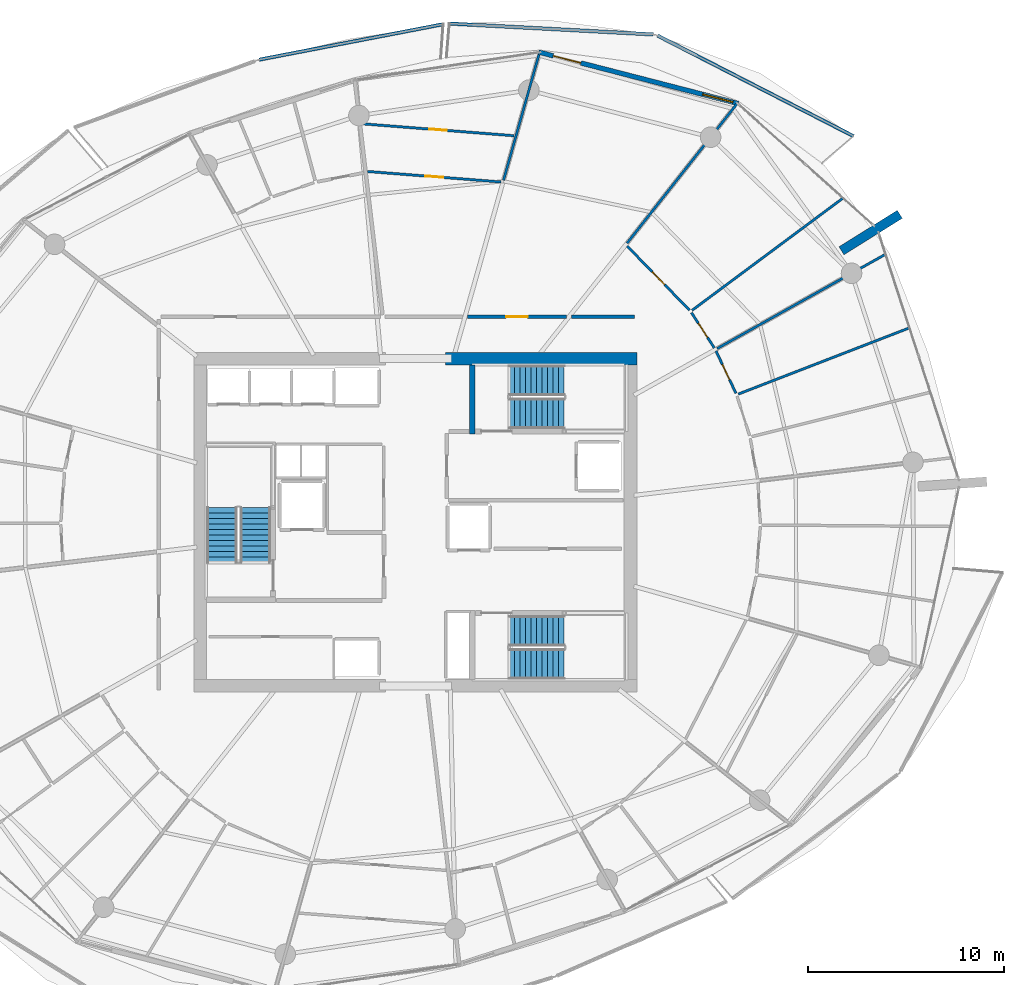
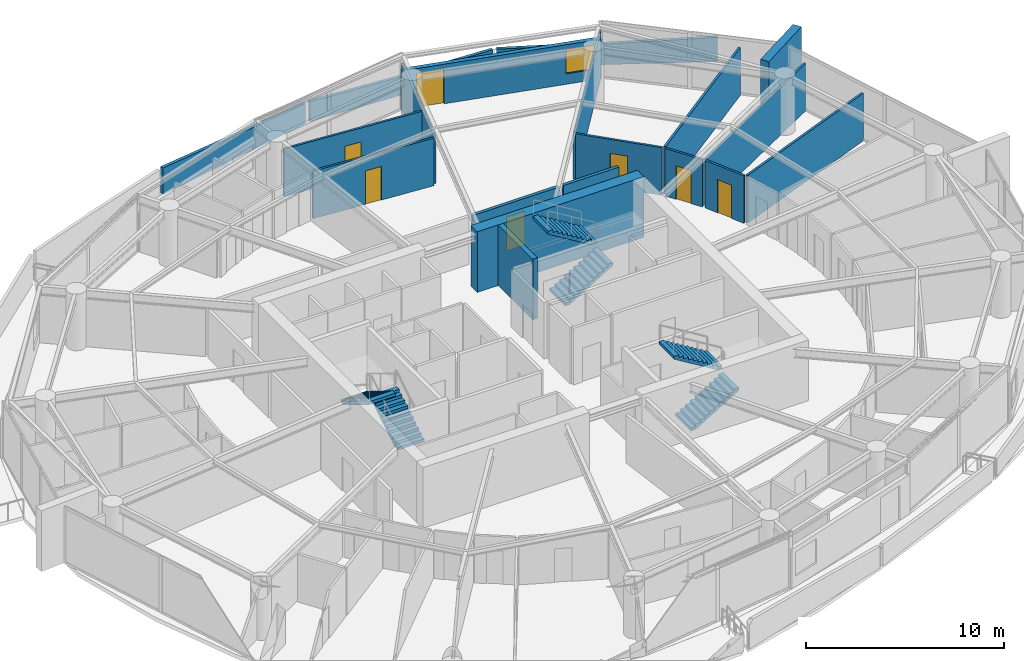
# One storey, part 15 of 20: 19 walls, 7 doors, 6 stair flights, 1 window, 8 openings, 3 elements without a shape of their own.
"""IFC4 building model written with IfcOpenShell, lengths in metres."""

from ifc_helpers import new_model, si_unit, direction, frame, frame_2d, origin, place, context, subcontext, project, spatial, polyline, rectangle, outline, extrude, material, layer, layer_set, type_object, element, fill, aggregate, save


model = new_model("IFC4")

# Units and contexts
model_context = context("Model", 3, precision=1e-05, world=origin(), true_north=direction((0.0, 1.0)))
body_context = subcontext(model_context, "Body", "Model", "MODEL_VIEW")
ifc_project = project(units=[si_unit("LENGTHUNIT", "METRE"), si_unit("AREAUNIT", "SQUARE_METRE"), si_unit("VOLUMEUNIT", "CUBIC_METRE"), si_unit("PLANEANGLEUNIT", "RADIAN"), si_unit("MASSUNIT", "GRAM", prefix="KILO")], contexts=[model_context])

# Site, building, storey
site_placement = place(None, origin())
site = spatial("IfcSite", under=ifc_project, at=site_placement, CompositionType="ELEMENT")
building_placement = place(site_placement, origin())
building = spatial("IfcBuilding", under=site, at=building_placement, Name="Kazma Halo Residences", CompositionType="ELEMENT")
storey_placement = place(building_placement, frame((0.0, 0.0, 206.550048828125)))
storey = spatial("IfcBuildingStorey", under=building, at=storey_placement, Name="L52", CompositionType="ELEMENT", Elevation=206.550048828125)

# Walls
ifc_material_1 = material(Name="White Concrete C50/60 Balustrade", Category="concrete")
ifc_layer_1 = layer(ifc_material_1, 0.179931640625)
ifc_layer_set_1 = layer_set([ifc_layer_1], Name="White Concrete C50/60 Balustrade")
wall_type_1 = type_object("IfcWallType", Name="WL-BAL-WAVE-180", PredefinedType="PARAPET", material=ifc_layer_set_1)
wall_1_placement = place(storey_placement, frame((70.725830078125, 61.65087890625, 0.0), z_axis=(0.0, 0.0, 1.0), x_axis=(-0.889659107665, 0.456625308266, 0.0)))
element("IfcWall", 1, at=wall_1_placement, inside=storey, type_object=wall_type_1, Name="L52 white wave balustrade wall NE.1", PredefinedType="PARAPET", context=body_context, shape_type="SweptSolid", body=[
    extrude(outline(polyline([(0.0, 0.0), (11.20751953125, 0.0), (11.20751953125, 1.14794921875), (5.603759765625, 1.283935546875), (0.0, 1.48291015625), (0.0, 0.0)])), frame((0.0, 0.08984375, 0.0), z_axis=(0.0, -1.0, 0.0), x_axis=(1.0, 0.0, 0.0)), (0.0, 0.0, 1.0), 0.179931640625),
])
wall_2_placement = place(storey_placement, frame((60.5283203125, 66.82958984375, 0.0), z_axis=(0.0, 0.0, 1.0), x_axis=(-0.998572477619, 0.053413546421, 0.0)))
element("IfcWall", 2, at=wall_2_placement, inside=storey, type_object=wall_type_1, Name="L52 white wave balustrade wall NE.2", PredefinedType="PARAPET", context=body_context, shape_type="SweptSolid", body=[
    extrude(outline(polyline([(0.0, 0.0), (10.389404296875, 0.0), (10.38916015625, 1.223876953125), (5.194580078125, 1.126953125), (0.0, 1.14794921875), (0.0, 0.0)])), frame((0.0, 0.08984375, 0.0), z_axis=(0.0, -1.0, 0.0), x_axis=(1.0, 0.0, 0.0)), (0.0, 0.0, 1.0), 0.179931640625),
])
wall_3_placement = place(storey_placement, frame((49.83935546875, 67.351318359375, 0.0), z_axis=(0.0, 0.0, 1.0), x_axis=(-0.981918699124, -0.189303112259, 0.0)))
element("IfcWall", 3, at=wall_3_placement, inside=storey, type_object=wall_type_1, Name="L52 white wave balustrade wall NNW.1", PredefinedType="PARAPET", context=body_context, shape_type="SweptSolid", body=[
    extrude(outline(polyline([(0.0, 0.0), (9.537109375, 0.0), (9.537109375, 1.6318359375), (4.7685546875, 1.41796875), (0.0, 1.23291015625), (0.0, 0.0)])), frame((0.0, 0.08984375, 0.0), z_axis=(0.0, -1.0, 0.0), x_axis=(1.0, 0.0, 0.0)), (0.0, 0.0, 1.0), 0.179931640625),
])
ifc_material_2 = material(Name="Pale Concrete C60/75", Category="concrete")
ifc_layer_2 = layer(ifc_material_2, 0.47998046875)
ifc_layer_set_2 = layer_set([ifc_layer_2], Name="Pale Concrete C60/75")
wall_type_2 = type_object("IfcWallType", Name="WL-BLADE-480", PredefinedType="SOLIDWALL", material=ifc_layer_set_2)
wall_4_placement = place(storey_placement, frame((70.11376953125, 55.818115234375, 0.0), z_axis=(0.0, 0.0, 1.0), x_axis=(0.848033572426, 0.529942506352, 0.0)))
element("IfcWall", 4, at=wall_4_placement, inside=storey, type_object=wall_type_2, Name="L52 pale concrete structural blade fin wall BW-01", PredefinedType="SOLIDWALL", context=body_context, shape_type="SweptSolid", body=[
    extrude(rectangle(XDim=3.5, YDim=0.47998046875, at=frame_2d((1.75, 0.0))), origin(), (0.0, 0.0, 1.0), 3.75),
])
ifc_material_3 = material(Name="Concrete C60/75", Category="concrete")
ifc_layer_3 = layer(ifc_material_3, 0.64990234375)
ifc_layer_set_3 = layer_set([ifc_layer_3], Name="Concrete C60/75")
wall_type_3 = type_object("IfcWallType", Name="WL-CORE-650", PredefinedType="SHEAR", material=ifc_layer_set_3)
wall_5_placement = place(storey_placement, frame((49.949951171875, 50.324951171875, 0.0), z_axis=(0.0, 0.0, 1.0), x_axis=(1.0, 0.0, 0.0)))
element("IfcWall", 5, at=wall_5_placement, inside=storey, type_object=wall_type_3, Name="L52 central core shear wall NE", PredefinedType="SHEAR", context=body_context, shape_type="SweptSolid", body=[
    extrude(rectangle(XDim=9.75, YDim=0.64990234375, at=frame_2d((4.875, 0.0))), origin(), (0.0, 0.0, 1.0), 3.75),
])
ifc_layer_4 = layer(ifc_material_3, 0.280029296875)
ifc_layer_set_4 = layer_set([ifc_layer_4], Name="Concrete C60/75")
wall_type_4 = type_object("IfcWallType", Name="WL-CORE-ST-280", PredefinedType="SHEAR", material=ifc_layer_set_4)
wall_6_placement = place(storey_placement, frame((51.31005859375, 46.5, 0.0), z_axis=(0.0, 0.0, 1.0), x_axis=(0.0, 1.0, 0.0)))
element("IfcWall", 6, at=wall_6_placement, inside=storey, type_object=wall_type_4, Name="L52 stairwell bearing wall ST02-W", PredefinedType="SHEAR", context=body_context, shape_type="SweptSolid", body=[
    extrude(rectangle(XDim=3.5, YDim=0.280029296875, at=frame_2d((1.75, 0.0))), origin(), (0.0, 0.0, 1.0), 3.75),
])

# Wall, opening, door
ifc_material_4 = material(Name="Acoustic Twin-Stud Gypsum")
ifc_layer_5 = layer(ifc_material_4, 0.179931640625)
ifc_layer_set_5 = layer_set([ifc_layer_5], Name="Acoustic Twin-Stud Gypsum")
wall_type_5 = type_object("IfcWallType", Name="WL-DEM-180", PredefinedType="PARTITIONING", material=ifc_layer_set_5)
wall_7_placement = place(storey_placement, frame((56.1181640625, 52.449951171875, 0.0), z_axis=(0.0, 0.0, 1.0), x_axis=(-1.0, 0.0, 0.0)))
wall_7 = element("IfcWall", 7, at=wall_7_placement, inside=storey, type_object=wall_type_5, Name="L52 Apartment 4 entrance corridor wall", PredefinedType="PARTITIONING", context=body_context, shape_type="SweptSolid", body=[
    extrude(rectangle(XDim=5.051025390625, YDim=0.179931640625, at=frame_2d((2.525390625, 0.0))), origin(), (0.0, 0.0, 1.0), 2.93994140625),
])
opening_1_placement = place(wall_7_placement, frame((1.975341796875, 0.0, 0.0)))
opening_1 = element("IfcOpeningElement", 8, at=opening_1_placement, cuts=wall_7, Name="Opening DA-1100", PredefinedType="OPENING", context=body_context, shape_type="SweptSolid", body=[
    extrude(rectangle(XDim=1.10009765625, YDim=2.10009765625, at=frame_2d((0.550048828125, 1.050048828125))), frame((0.0, 0.099853515625, 0.0), z_axis=(0.0, -1.0, 0.0), x_axis=(1.0, 0.0, 0.0)), (0.0, 0.0, 1.0), 0.199951171875),
])
ifc_material_5 = material(Name="Acoustic Walnut Fire Leaf")
door_type_1 = type_object("IfcDoorType", Name="DR-FD60-1100", OperationType="NOTDEFINED", PredefinedType="DOOR", material=ifc_material_5)
door_1_placement = place(opening_1_placement, origin())
door_1 = element("IfcDoor", 9, at=door_1_placement, inside=storey, type_object=door_type_1, Name="L52 Apartment 4 entrance fire door", OperationType="SINGLE_SWING_LEFT", OverallHeight=2.10009765625, OverallWidth=1.10009765625, PredefinedType="DOOR", context=body_context, shape_type="SweptSolid", body=[
    extrude(rectangle(XDim=1.10009765625, YDim=2.10009765625, at=frame_2d((0.550048828125, 1.050048828125))), frame((0.0, 0.02490234375, 0.0), z_axis=(0.0, -1.0, 0.0), x_axis=(1.0, 0.0, 0.0)), (0.0, 0.0, 1.0), 0.050048828125),
])
fill(opening_1, door_1)

# Wall
wall_8_placement = place(storey_placement, frame((59.580078125, 52.449951171875, 0.0), z_axis=(0.0, 0.0, 1.0), x_axis=(-1.0, 0.0, 0.0)))
element("IfcWall", 10, at=wall_8_placement, inside=storey, type_object=wall_type_5, Name="L52 Apartment 4 inner wall 0", PredefinedType="PARTITIONING", context=body_context, shape_type="SweptSolid", body=[
    extrude(rectangle(XDim=3.221923828125, YDim=0.179931640625, at=frame_2d((1.61083984375, 0.0))), origin(), (0.0, 0.0, 1.0), 2.93994140625),
])

# Wall, openings, door, window
ifc_material_6 = material(Name="Insulated Pale-Metal Composite Wall")
ifc_layer_6 = layer(ifc_material_6, 0.239990234375)
ifc_layer_set_6 = layer_set([ifc_layer_6], Name="Insulated Pale-Metal Composite Wall")
wall_type_6 = type_object("IfcWallType", Name="WL-EXT-HOST-240", PredefinedType="SOLIDWALL", material=ifc_layer_set_6)
wall_9_placement = place(storey_placement, frame((64.860107421875, 63.31298828125, 0.0), z_axis=(0.0, 0.0, 1.0), x_axis=(-0.968374028006, 0.249502989727, 0.0)))
wall_9 = element("IfcWall", 11, at=wall_9_placement, inside=storey, type_object=wall_type_6, Name="L52 exterior terrace-access wall B02", PredefinedType="SOLIDWALL", context=body_context, shape_type="SweptSolid", body=[
    extrude(rectangle(XDim=10.494384765625, YDim=0.239990234375, at=frame_2d((5.2470703125, 0.0))), origin(), (0.0, 0.0, 1.0), 2.449951171875),
])
opening_2_placement = place(wall_9_placement, frame((8.2744140625, 0.0, 0.0)))
opening_2 = element("IfcOpeningElement", 12, at=opening_2_placement, cuts=wall_9, Name="Opening DTR-1600", PredefinedType="OPENING", context=body_context, shape_type="SweptSolid", body=[
    extrude(rectangle(XDim=1.449951171875, YDim=2.14990234375, at=frame_2d((0.72509765625, 1.074951171875))), frame((0.0, 0.1298828125, 0.0), z_axis=(0.0, -1.0, 0.0), x_axis=(1.0, 0.0, 0.0)), (0.0, 0.0, 1.0), 0.260009765625),
])
opening_3_placement = place(wall_9_placement, frame((0.280029296875, 0.0, 0.64990234375)))
opening_3 = element("IfcOpeningElement", 13, at=opening_3_placement, cuts=wall_9, Name="Opening W-1800", PredefinedType="OPENING", context=body_context, shape_type="SweptSolid", body=[
    extrude(rectangle(XDim=1.60009765625, YDim=1.5, at=frame_2d((0.800048828125, 0.75))), frame((0.0, 0.1298828125, 0.0), z_axis=(0.0, -1.0, 0.0), x_axis=(1.0, 0.0, 0.0)), (0.0, 0.0, 1.0), 0.260009765625),
])
ifc_material_7 = material(Name="Aluminium AW-6063 T6 Double-Glazed Terrace Door", Category="aluminium")
door_type_2 = type_object("IfcDoorType", Name="DR-EXT-TERR-1600", OperationType="NOTDEFINED", PredefinedType="DOOR", material=ifc_material_7)
door_2_placement = place(opening_2_placement, origin())
door_2 = element("IfcDoor", 14, at=door_2_placement, inside=storey, type_object=door_type_2, Name="L52 B02 balcony terrace door", OperationType="DOUBLE_DOOR_SLIDING", OverallHeight=2.14990234375, OverallWidth=1.449951171875, PredefinedType="DOOR", context=body_context, shape_type="SweptSolid", body=[
    extrude(rectangle(XDim=1.449951171875, YDim=2.14990234375, at=frame_2d((0.72509765625, 1.074951171875))), frame((0.0, 0.02490234375, 0.0), z_axis=(0.0, -1.0, 0.0), x_axis=(1.0, 0.0, 0.0)), (0.0, 0.0, 1.0), 0.050048828125),
])
fill(opening_2, door_2)
ifc_material_8 = material(Name="Clear Triple-Silver Low-E Glass in Aluminium AW-6063 T6 Frame", Category="aluminium")
window_type = type_object("IfcWindowType", Name="WIN-RES-1800", PartitioningType="DOUBLE_PANEL_VERTICAL", PredefinedType="WINDOW", material=ifc_material_8)
window_placement = place(opening_3_placement, origin())
window = element("IfcWindow", 15, at=window_placement, inside=storey, type_object=window_type, Name="L52 B02 apartment window", OverallHeight=1.5, OverallWidth=1.60009765625, PartitioningType="SINGLE_PANEL", PredefinedType="WINDOW", context=body_context, shape_type="SweptSolid", body=[
    extrude(rectangle(XDim=1.60009765625, YDim=1.5, at=frame_2d((0.800048828125, 0.75))), frame((0.0, 0.030029296875, 0.0), z_axis=(0.0, -1.0, 0.0), x_axis=(1.0, 0.0, 0.0)), (0.0, 0.0, 1.0), 0.06005859375),
])
fill(opening_3, window)

# Wall
ifc_material_9 = material(Name="Gypsum Plasterboard Partition")
ifc_layer_7 = layer(ifc_material_9, 0.125)
ifc_layer_set_7 = layer_set([ifc_layer_7], Name="Gypsum Plasterboard Partition")
wall_type_7 = type_object("IfcWallType", Name="WL-PART-125", PredefinedType="PARTITIONING", material=ifc_layer_set_7)
wall_10_placement = place(storey_placement, frame((64.859375, 48.5224609375, 0.0), z_axis=(0.0, 0.0, 1.0), x_axis=(0.93264258635, 0.360801616025, 0.0)))
element("IfcWall", 16, at=wall_10_placement, inside=storey, type_object=wall_type_7, Name="L52 Apartment 4 bay wall 2 15", PredefinedType="PARTITIONING", context=body_context, shape_type="SweptSolid", body=[
    extrude(rectangle(XDim=9.322998046875, YDim=0.125, at=frame_2d((4.66162109375, 0.0))), origin(), (0.0, 0.0, 1.0), 2.93994140625),
])

# Wall, opening, door
wall_11_placement = place(storey_placement, frame((64.7412109375, 48.562255859375, 0.0), z_axis=(0.0, 0.0, 1.0), x_axis=(-0.425713071605, 0.904858210255, 0.0)))
wall_11 = element("IfcWall", 17, at=wall_11_placement, inside=storey, type_object=wall_type_7, Name="L52 Apartment 4 Secondary Bedroom hall wall", PredefinedType="PARTITIONING", context=body_context, shape_type="SweptSolid", body=[
    extrude(rectangle(XDim=2.380615234375, YDim=0.125, at=frame_2d((1.1904296875, 0.0))), origin(), (0.0, 0.0, 1.0), 2.93994140625),
])
opening_4_placement = place(wall_11_placement, frame((0.765380859375, 0.0, 0.0)))
opening_4 = element("IfcOpeningElement", 18, at=opening_4_placement, cuts=wall_11, Name="Opening DB-900", PredefinedType="OPENING", context=body_context, shape_type="SweptSolid", body=[
    extrude(rectangle(XDim=0.85009765625, YDim=2.06005859375, at=frame_2d((0.425048828125, 1.030029296875))), frame((0.0, 0.072509765625, 0.0), z_axis=(0.0, -1.0, 0.0), x_axis=(1.0, 0.0, 0.0)), (0.0, 0.0, 1.0), 0.14501953125),
])
ifc_material_10 = material(Name="Moisture-Sealed Timber Leaf", Category="wood")
door_type_3 = type_object("IfcDoorType", Name="DR-BTH-900", OperationType="NOTDEFINED", PredefinedType="DOOR", material=ifc_material_10)
door_3_placement = place(opening_4_placement, origin())
door_3 = element("IfcDoor", 19, at=door_3_placement, inside=storey, type_object=door_type_3, Name="L52 Apartment 4 Secondary Bedroom door", OperationType="SINGLE_SWING_LEFT", OverallHeight=2.06005859375, OverallWidth=0.85009765625, PredefinedType="DOOR", context=body_context, shape_type="SweptSolid", body=[
    extrude(rectangle(XDim=0.85009765625, YDim=2.06005859375, at=frame_2d((0.425048828125, 1.030029296875))), frame((0.0, 0.02490234375, 0.0), z_axis=(0.0, -1.0, 0.0), x_axis=(1.0, 0.0, 0.0)), (0.0, 0.0, 1.0), 0.050048828125),
])
fill(opening_4, door_3)

# Walls
wall_12_placement = place(storey_placement, frame((63.78076171875, 50.837646484375, 0.0), z_axis=(0.0, 0.0, 1.0), x_axis=(0.87249667769, 0.488620044022, 0.0)))
element("IfcWall", 20, at=wall_12_placement, inside=storey, type_object=wall_type_7, Name="L52 Apartment 4 radial partition 0", PredefinedType="PARTITIONING", context=body_context, shape_type="SweptSolid", body=[
    extrude(rectangle(XDim=9.80810546875, YDim=0.125, at=frame_2d((4.904052734375, 0.0))), origin(), (0.0, 0.0, 1.0), 2.93994140625),
])
wall_13_placement = place(storey_placement, frame((59.197509765625, 56.2041015625, 0.0), z_axis=(0.0, 0.0, 1.0), x_axis=(0.619095305497, 0.785315861747, 0.0)))
element("IfcWall", 21, at=wall_13_placement, inside=storey, type_object=wall_type_7, Name="L52 Apartment 4 living radial partition 0", PredefinedType="PARTITIONING", context=body_context, shape_type="SweptSolid", body=[
    extrude(rectangle(XDim=9.043212890625, YDim=0.125, at=frame_2d((4.521484375, 0.0))), origin(), (0.0, 0.0, 1.0), 2.93994140625),
])
wall_14_placement = place(storey_placement, frame((62.5068359375, 52.78564453125, 0.0), z_axis=(0.0, 0.0, 1.0), x_axis=(0.802514437248, 0.596632699413, 0.0)))
element("IfcWall", 22, at=wall_14_placement, inside=storey, type_object=wall_type_7, Name="L52 Apartment 4 mid-bay wall 0", PredefinedType="PARTITIONING", context=body_context, shape_type="SweptSolid", body=[
    extrude(rectangle(XDim=9.55078125, YDim=0.125, at=frame_2d((4.775390625, 0.0))), origin(), (0.0, 0.0, 1.0), 2.93994140625),
])

# Wall, opening, door
wall_15_placement = place(storey_placement, frame((63.63916015625, 50.872802734375, 0.0), z_axis=(0.0, 0.0, 1.0), x_axis=(-0.543701600377, 0.839278600792, 0.0)))
wall_15 = element("IfcWall", 23, at=wall_15_placement, inside=storey, type_object=wall_type_7, Name="L52 Apartment 4 East Wine Pantry Store hall wall", PredefinedType="PARTITIONING", context=body_context, shape_type="SweptSolid", body=[
    extrude(rectangle(XDim=2.13525390625, YDim=0.125, at=frame_2d((1.067626953125, 0.0))), origin(), (0.0, 0.0, 1.0), 2.93994140625),
])
opening_5_placement = place(wall_15_placement, frame((0.642578125, 0.0, 0.0)))
opening_5 = element("IfcOpeningElement", 24, at=opening_5_placement, cuts=wall_15, Name="Opening DB-900", PredefinedType="OPENING", context=body_context, shape_type="SweptSolid", body=[
    extrude(rectangle(XDim=0.85009765625, YDim=2.06005859375, at=frame_2d((0.425048828125, 1.030029296875))), frame((0.0, 0.072509765625, 0.0), z_axis=(0.0, -1.0, 0.0), x_axis=(1.0, 0.0, 0.0)), (0.0, 0.0, 1.0), 0.14501953125),
])
door_4_placement = place(opening_5_placement, origin())
door_4 = element("IfcDoor", 25, at=door_4_placement, inside=storey, type_object=door_type_3, Name="L52 Apartment 4 East Wine Pantry Store door", OperationType="SINGLE_SWING_LEFT", OverallHeight=2.06005859375, OverallWidth=0.85009765625, PredefinedType="DOOR", context=body_context, shape_type="SweptSolid", body=[
    extrude(rectangle(XDim=0.85009765625, YDim=2.06005859375, at=frame_2d((0.425048828125, 1.030029296875))), frame((0.0, 0.02490234375, 0.0), z_axis=(0.0, -1.0, 0.0), x_axis=(1.0, 0.0, 0.0)), (0.0, 0.0, 1.0), 0.050048828125),
])
fill(opening_5, door_4)

wall_16_placement = place(storey_placement, frame((62.37890625, 52.789306640625, 0.0), z_axis=(0.0, 0.0, 1.0), x_axis=(-0.697062312207, 0.717010552852, 0.0)))
wall_16 = element("IfcWall", 26, at=wall_16_placement, inside=storey, type_object=wall_type_7, Name="L52 Apartment 4 West Formal Dining Room hall wall", PredefinedType="PARTITIONING", context=body_context, shape_type="SweptSolid", body=[
    extrude(rectangle(XDim=4.552734375, YDim=0.125, at=frame_2d((2.2763671875, 0.0))), origin(), (0.0, 0.0, 1.0), 2.93994140625),
])
opening_6_placement = place(wall_16_placement, frame((1.826416015625, 0.0, 0.0)))
opening_6 = element("IfcOpeningElement", 27, at=opening_6_placement, cuts=wall_16, Name="Opening DI-950", PredefinedType="OPENING", context=body_context, shape_type="SweptSolid", body=[
    extrude(rectangle(XDim=0.89990234375, YDim=2.080078125, at=frame_2d((0.449951171875, 1.0400390625))), frame((0.0, 0.072509765625, 0.0), z_axis=(0.0, -1.0, 0.0), x_axis=(1.0, 0.0, 0.0)), (0.0, 0.0, 1.0), 0.14501953125),
])
ifc_material_11 = material(Name="Timber Veneer Flush Leaf", Category="wood")
door_type_4 = type_object("IfcDoorType", Name="DR-INT-950", OperationType="NOTDEFINED", PredefinedType="DOOR", material=ifc_material_11)
door_5_placement = place(opening_6_placement, origin())
door_5 = element("IfcDoor", 28, at=door_5_placement, inside=storey, type_object=door_type_4, Name="L52 Apartment 4 West Formal Dining Room door", OperationType="SINGLE_SWING_RIGHT", OverallHeight=2.080078125, OverallWidth=0.89990234375, PredefinedType="DOOR", context=body_context, shape_type="SweptSolid", body=[
    extrude(rectangle(XDim=0.89990234375, YDim=2.080078125, at=frame_2d((0.449951171875, 1.0400390625))), frame((0.0, 0.02490234375, 0.0), z_axis=(0.0, -1.0, 0.0), x_axis=(1.0, 0.0, 0.0)), (0.0, 0.0, 1.0), 0.050048828125),
])
fill(opening_6, door_5)

# Wall
wall_17_placement = place(storey_placement, frame((52.909423828125, 59.407958984375, 0.0), z_axis=(0.0, 0.0, 1.0), x_axis=(0.271461038327, 0.962449429669, 0.0)))
element("IfcWall", 29, at=wall_17_placement, inside=storey, type_object=wall_type_7, Name="L52 Apartment 4 radial partition 2", PredefinedType="PARTITIONING", context=body_context, shape_type="SweptSolid", body=[
    extrude(rectangle(XDim=6.639892578125, YDim=0.125, at=frame_2d((3.31982421875, 0.0))), origin(), (0.0, 0.0, 1.0), 2.93994140625),
])

# Wall, opening, door
wall_18_placement = place(storey_placement, frame((52.772705078125, 59.3203125, 0.0), z_axis=(0.0, 0.0, 1.0), x_axis=(-0.996916436686, 0.078470492963, 0.0)))
wall_18 = element("IfcWall", 30, at=wall_18_placement, inside=storey, type_object=wall_type_7, Name="L52 Apartment 4 North Study hall wall", PredefinedType="PARTITIONING", context=body_context, shape_type="SweptSolid", body=[
    extrude(rectangle(XDim=6.798095703125, YDim=0.125, at=frame_2d((3.39892578125, 0.0))), origin(), (0.0, 0.0, 1.0), 2.93994140625),
])
opening_7_placement = place(wall_18_placement, frame((2.948974609375, 0.0, 0.0)))
opening_7 = element("IfcOpeningElement", 31, at=opening_7_placement, cuts=wall_18, Name="Opening DI-950", PredefinedType="OPENING", context=body_context, shape_type="SweptSolid", body=[
    extrude(rectangle(XDim=0.89990234375, YDim=2.080078125, at=frame_2d((0.449951171875, 1.0400390625))), frame((0.0, 0.072509765625, 0.0), z_axis=(0.0, -1.0, 0.0), x_axis=(1.0, 0.0, 0.0)), (0.0, 0.0, 1.0), 0.14501953125),
])
door_6_placement = place(opening_7_placement, origin())
door_6 = element("IfcDoor", 32, at=door_6_placement, inside=storey, type_object=door_type_4, Name="L52 Apartment 4 North Study door", OperationType="SINGLE_SWING_LEFT", OverallHeight=2.080078125, OverallWidth=0.89990234375, PredefinedType="DOOR", context=body_context, shape_type="SweptSolid", body=[
    extrude(rectangle(XDim=0.89990234375, YDim=2.080078125, at=frame_2d((0.449951171875, 1.0400390625))), frame((0.0, 0.02490234375, 0.0), z_axis=(0.0, -1.0, 0.0), x_axis=(1.0, 0.0, 0.0)), (0.0, 0.0, 1.0), 0.050048828125),
])
fill(opening_7, door_6)

wall_19_placement = place(storey_placement, frame((53.436279296875, 61.673583984375, 0.0), z_axis=(0.0, 0.0, 1.0), x_axis=(-0.996917885084, 0.078452089838, 0.0)))
wall_19 = element("IfcWall", 33, at=wall_19_placement, inside=storey, type_object=wall_type_7, Name="L52 Apartment 4 South Bedroom divider wall", PredefinedType="PARTITIONING", context=body_context, shape_type="SweptSolid", body=[
    extrude(rectangle(XDim=7.751953125, YDim=0.125, at=frame_2d((3.8759765625, 0.0))), origin(), (0.0, 0.0, 1.0), 2.93994140625),
])
opening_8_placement = place(wall_19_placement, frame((3.426025390625, 0.0, 0.0)))
opening_8 = element("IfcOpeningElement", 34, at=opening_8_placement, cuts=wall_19, Name="Opening DI-950", PredefinedType="OPENING", context=body_context, shape_type="SweptSolid", body=[
    extrude(rectangle(XDim=0.89990234375, YDim=2.080078125, at=frame_2d((0.449951171875, 1.0400390625))), frame((0.0, 0.072509765625, 0.0), z_axis=(0.0, -1.0, 0.0), x_axis=(1.0, 0.0, 0.0)), (0.0, 0.0, 1.0), 0.14501953125),
])
door_7_placement = place(opening_8_placement, origin())
door_7 = element("IfcDoor", 35, at=door_7_placement, inside=storey, type_object=door_type_4, Name="L52 Apartment 4 South Bedroom door", OperationType="SINGLE_SWING_RIGHT", OverallHeight=2.080078125, OverallWidth=0.89990234375, PredefinedType="DOOR", context=body_context, shape_type="SweptSolid", body=[
    extrude(rectangle(XDim=0.89990234375, YDim=2.080078125, at=frame_2d((0.449951171875, 1.0400390625))), frame((0.0, 0.02490234375, 0.0), z_axis=(0.0, -1.0, 0.0), x_axis=(1.0, 0.0, 0.0)), (0.0, 0.0, 1.0), 0.050048828125),
])
fill(opening_8, door_7)

# Stair, stair flights
ifc_material_12 = material(Name="Concrete C50/60", Category="concrete")
stair_type = type_object("IfcStairType", Name="STR-RES1", PredefinedType="HALF_TURN_STAIR", material=ifc_material_12)
stair_1_placement = place(storey_placement, origin())
stair_1 = element("IfcStair", 36, at=stair_1_placement, inside=storey, type_object=stair_type, Name="L52 Core exit stair ST-01", PredefinedType="HALF_TURN_STAIR")
stair_flight_type = type_object("IfcStairFlightType", Name="STR-RES1-FLT", PredefinedType="STRAIGHT", material=ifc_material_12)
stair_flight_1_placement = place(storey_placement, frame((40.27490234375, 39.949951171875, 0.0), z_axis=(0.0, 0.0, 1.0), x_axis=(0.0, 1.0, 0.0)))
stair_flight_1 = element("IfcStairFlight", 37, at=stair_flight_1_placement, type_object=stair_flight_type, Name="ST-01 flight 1", NumberOfRisers=11, NumberOfTreads=10, PredefinedType="STRAIGHT", RiserHeight=0.170454545, TreadLength=0.28, context=body_context, shape_type="SweptSolid", body=[
    extrude(outline(polyline([(0.0, 0.0), (0.0, 0.17041015625), (0.280029296875, 0.17041015625), (0.280029296875, 0.3408203125), (0.56005859375, 0.3408203125), (0.56005859375, 0.511474609375), (0.840087890625, 0.511474609375), (0.840087890625, 0.681884765625), (1.1201171875, 0.681884765625), (1.1201171875, 0.852294921875), (1.39990234375, 0.852294921875), (1.39990234375, 1.022705078125), (1.679931640625, 1.022705078125), (1.679931640625, 1.193115234375), (1.9599609375, 1.193115234375), (1.9599609375, 1.363525390625), (2.239990234375, 1.363525390625), (2.239990234375, 1.5341796875), (2.52001953125, 1.5341796875), (2.52001953125, 1.70458984375), (2.800048828125, 1.70458984375), (2.800048828125, 1.875), (2.800048828125, 1.529052734375), (0.288330078125, 0.0), (0.0, 0.0)])), frame((0.0, 0.77490234375, 0.0), z_axis=(0.0, -1.0, 0.0), x_axis=(1.0, 0.0, 0.0)), (0.0, 0.0, 1.0), 1.550048828125),
])
stair_flight_2_placement = place(storey_placement, frame((38.574951171875, 42.75, 1.875), z_axis=(0.0, 0.0, 1.0), x_axis=(0.0, -1.0, 0.0)))
stair_flight_2 = element("IfcStairFlight", 38, at=stair_flight_2_placement, type_object=stair_flight_type, Name="ST-01 flight 2", NumberOfRisers=11, NumberOfTreads=10, PredefinedType="STRAIGHT", RiserHeight=0.170454545, TreadLength=0.28, context=body_context, shape_type="SweptSolid", body=[
    extrude(outline(polyline([(0.0, 0.0), (0.0, 0.17041015625), (0.280029296875, 0.17041015625), (0.280029296875, 0.3408203125), (0.56005859375, 0.3408203125), (0.56005859375, 0.511474609375), (0.840087890625, 0.511474609375), (0.840087890625, 0.681884765625), (1.1201171875, 0.681884765625), (1.1201171875, 0.852294921875), (1.39990234375, 0.852294921875), (1.39990234375, 1.022705078125), (1.679931640625, 1.022705078125), (1.679931640625, 1.193115234375), (1.9599609375, 1.193115234375), (1.9599609375, 1.363525390625), (2.239990234375, 1.363525390625), (2.239990234375, 1.5341796875), (2.52001953125, 1.5341796875), (2.52001953125, 1.70458984375), (2.800048828125, 1.70458984375), (2.800048828125, 1.875), (2.800048828125, 1.529052734375), (0.288330078125, 0.0), (0.0, 0.0)])), frame((0.0, 0.77490234375, 0.0), z_axis=(0.0, -1.0, 0.0), x_axis=(1.0, 0.0, 0.0)), (0.0, 0.0, 1.0), 1.550048828125),
])
aggregate(stair_1, [stair_flight_1, stair_flight_2])

stair_2_placement = place(storey_placement, origin())
stair_2 = element("IfcStair", 39, at=stair_2_placement, inside=storey, type_object=stair_type, Name="L52 Core exit stair ST-02", PredefinedType="HALF_TURN_STAIR")
stair_flight_3_placement = place(storey_placement, frame((53.199951171875, 47.52490234375, 0.0), z_axis=(0.0, 0.0, 1.0), x_axis=(1.0, 0.0, 0.0)))
stair_flight_3 = element("IfcStairFlight", 40, at=stair_flight_3_placement, type_object=stair_flight_type, Name="ST-02 flight 1", NumberOfRisers=11, NumberOfTreads=10, PredefinedType="STRAIGHT", RiserHeight=0.170454545, TreadLength=0.28, context=body_context, shape_type="SweptSolid", body=[
    extrude(outline(polyline([(0.0, 0.0), (0.0, 0.17041015625), (0.280029296875, 0.17041015625), (0.280029296875, 0.3408203125), (0.56005859375, 0.3408203125), (0.56005859375, 0.511474609375), (0.840087890625, 0.511474609375), (0.840087890625, 0.681884765625), (1.1201171875, 0.681884765625), (1.1201171875, 0.852294921875), (1.39990234375, 0.852294921875), (1.39990234375, 1.022705078125), (1.679931640625, 1.022705078125), (1.679931640625, 1.193115234375), (1.9599609375, 1.193115234375), (1.9599609375, 1.363525390625), (2.239990234375, 1.363525390625), (2.239990234375, 1.5341796875), (2.52001953125, 1.5341796875), (2.52001953125, 1.70458984375), (2.800048828125, 1.70458984375), (2.800048828125, 1.875), (2.800048828125, 1.529052734375), (0.288330078125, 0.0), (0.0, 0.0)])), frame((0.0, 0.77490234375, 0.0), z_axis=(0.0, -1.0, 0.0), x_axis=(1.0, 0.0, 0.0)), (0.0, 0.0, 1.0), 1.550048828125),
])
stair_flight_4_placement = place(storey_placement, frame((56.0, 49.22509765625, 1.875), z_axis=(0.0, 0.0, 1.0), x_axis=(-1.0, 0.0, 0.0)))
stair_flight_4 = element("IfcStairFlight", 41, at=stair_flight_4_placement, type_object=stair_flight_type, Name="ST-02 flight 2", NumberOfRisers=11, NumberOfTreads=10, PredefinedType="STRAIGHT", RiserHeight=0.170454545, TreadLength=0.28, context=body_context, shape_type="SweptSolid", body=[
    extrude(outline(polyline([(0.0, 0.0), (0.0, 0.17041015625), (0.280029296875, 0.17041015625), (0.280029296875, 0.3408203125), (0.56005859375, 0.3408203125), (0.56005859375, 0.511474609375), (0.840087890625, 0.511474609375), (0.840087890625, 0.681884765625), (1.1201171875, 0.681884765625), (1.1201171875, 0.852294921875), (1.39990234375, 0.852294921875), (1.39990234375, 1.022705078125), (1.679931640625, 1.022705078125), (1.679931640625, 1.193115234375), (1.9599609375, 1.193115234375), (1.9599609375, 1.363525390625), (2.239990234375, 1.363525390625), (2.239990234375, 1.5341796875), (2.52001953125, 1.5341796875), (2.52001953125, 1.70458984375), (2.800048828125, 1.70458984375), (2.800048828125, 1.875), (2.800048828125, 1.529052734375), (0.288330078125, 0.0), (0.0, 0.0)])), frame((0.0, 0.77490234375, 0.0), z_axis=(0.0, -1.0, 0.0), x_axis=(1.0, 0.0, 0.0)), (0.0, 0.0, 1.0), 1.550048828125),
])
aggregate(stair_2, [stair_flight_3, stair_flight_4])

stair_3_placement = place(storey_placement, origin())
stair_3 = element("IfcStair", 42, at=stair_3_placement, inside=storey, type_object=stair_type, Name="L52 Core exit stair ST-03", PredefinedType="HALF_TURN_STAIR")
stair_flight_5_placement = place(storey_placement, frame((53.199951171875, 34.77490234375, 0.0), z_axis=(0.0, 0.0, 1.0), x_axis=(1.0, 0.0, 0.0)))
stair_flight_5 = element("IfcStairFlight", 43, at=stair_flight_5_placement, type_object=stair_flight_type, Name="ST-03 flight 1", NumberOfRisers=11, NumberOfTreads=10, PredefinedType="STRAIGHT", RiserHeight=0.170454545, TreadLength=0.28, context=body_context, shape_type="SweptSolid", body=[
    extrude(outline(polyline([(0.0, 0.0), (0.0, 0.17041015625), (0.280029296875, 0.17041015625), (0.280029296875, 0.3408203125), (0.56005859375, 0.3408203125), (0.56005859375, 0.511474609375), (0.840087890625, 0.511474609375), (0.840087890625, 0.681884765625), (1.1201171875, 0.681884765625), (1.1201171875, 0.852294921875), (1.39990234375, 0.852294921875), (1.39990234375, 1.022705078125), (1.679931640625, 1.022705078125), (1.679931640625, 1.193115234375), (1.9599609375, 1.193115234375), (1.9599609375, 1.363525390625), (2.239990234375, 1.363525390625), (2.239990234375, 1.5341796875), (2.52001953125, 1.5341796875), (2.52001953125, 1.70458984375), (2.800048828125, 1.70458984375), (2.800048828125, 1.875), (2.800048828125, 1.529052734375), (0.288330078125, 0.0), (0.0, 0.0)])), frame((0.0, 0.77490234375, 0.0), z_axis=(0.0, -1.0, 0.0), x_axis=(1.0, 0.0, 0.0)), (0.0, 0.0, 1.0), 1.550048828125),
])
stair_flight_6_placement = place(storey_placement, frame((56.0, 36.47509765625, 1.875), z_axis=(0.0, 0.0, 1.0), x_axis=(-1.0, 0.0, 0.0)))
stair_flight_6 = element("IfcStairFlight", 44, at=stair_flight_6_placement, type_object=stair_flight_type, Name="ST-03 flight 2", NumberOfRisers=11, NumberOfTreads=10, PredefinedType="STRAIGHT", RiserHeight=0.170454545, TreadLength=0.28, context=body_context, shape_type="SweptSolid", body=[
    extrude(outline(polyline([(0.0, 0.0), (0.0, 0.17041015625), (0.280029296875, 0.17041015625), (0.280029296875, 0.3408203125), (0.56005859375, 0.3408203125), (0.56005859375, 0.511474609375), (0.840087890625, 0.511474609375), (0.840087890625, 0.681884765625), (1.1201171875, 0.681884765625), (1.1201171875, 0.852294921875), (1.39990234375, 0.852294921875), (1.39990234375, 1.022705078125), (1.679931640625, 1.022705078125), (1.679931640625, 1.193115234375), (1.9599609375, 1.193115234375), (1.9599609375, 1.363525390625), (2.239990234375, 1.363525390625), (2.239990234375, 1.5341796875), (2.52001953125, 1.5341796875), (2.52001953125, 1.70458984375), (2.800048828125, 1.70458984375), (2.800048828125, 1.875), (2.800048828125, 1.529052734375), (0.288330078125, 0.0), (0.0, 0.0)])), frame((0.0, 0.77490234375, 0.0), z_axis=(0.0, -1.0, 0.0), x_axis=(1.0, 0.0, 0.0)), (0.0, 0.0, 1.0), 1.550048828125),
])
aggregate(stair_3, [stair_flight_5, stair_flight_6])

save(model, "model.ifc")
